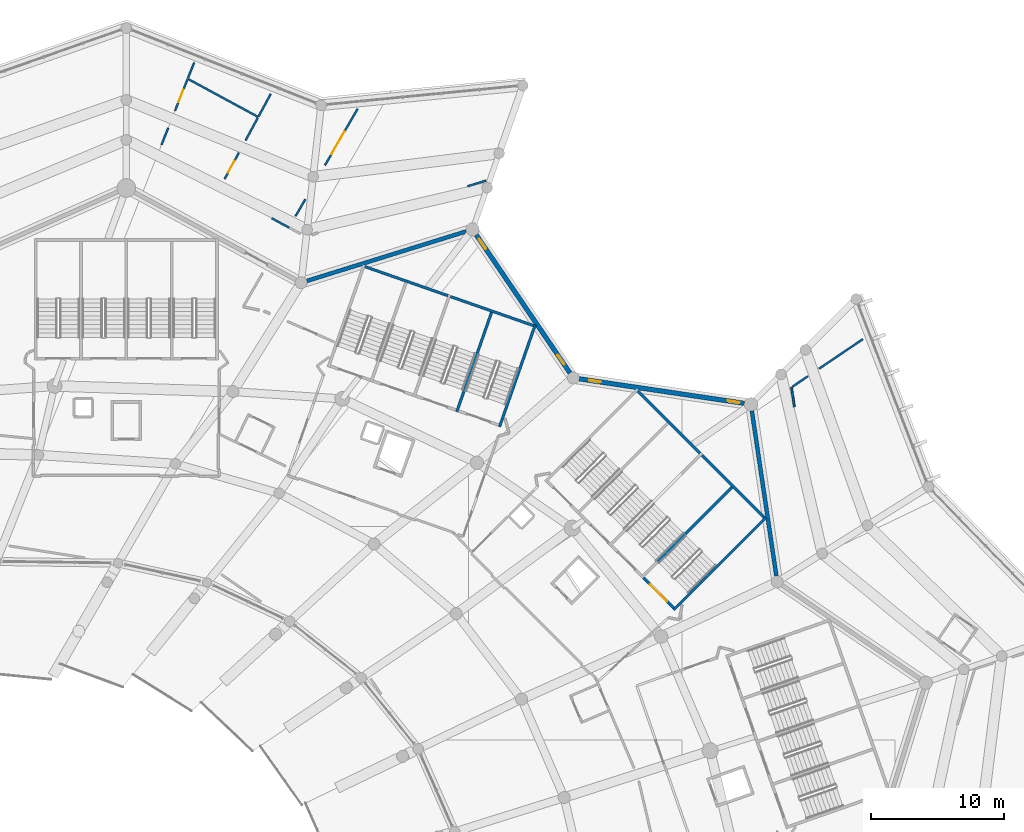
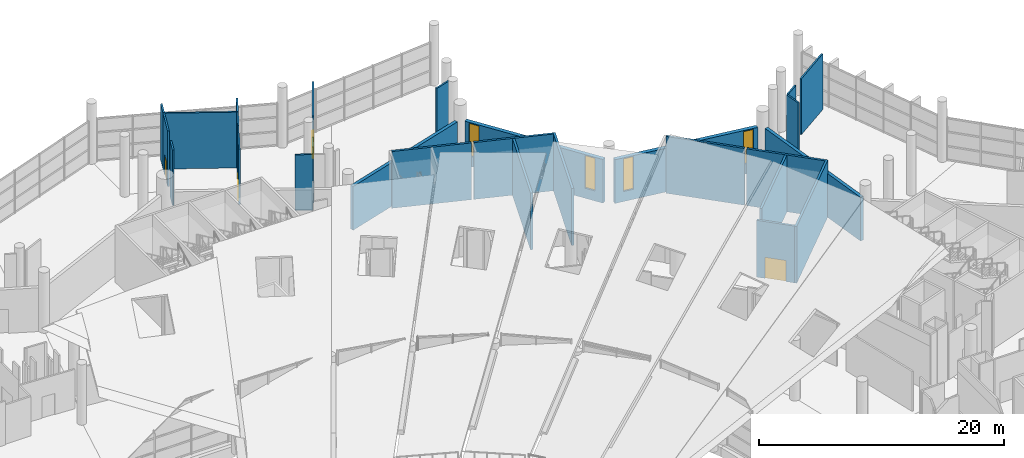
# One storey, part 177 of 249: 27 walls, 5 doors, 4 windows, 9 openings.
"""IFC4 building model written with IfcOpenShell, lengths in metres."""

from ifc_helpers import new_model, si_unit, direction, frame, frame_2d, origin, place, context, subcontext, project, spatial, rectangle, extrude, material, layer, layer_set, type_object, element, fill, save


model = new_model("IFC4")

# Units and contexts
model_context = context("Model", 3, precision=1e-05, world=origin(), true_north=direction((0.0, 1.0)))
body_context = subcontext(model_context, "Body", "Model", "MODEL_VIEW")
ifc_project = project(units=[si_unit("LENGTHUNIT", "METRE"), si_unit("AREAUNIT", "SQUARE_METRE"), si_unit("VOLUMEUNIT", "CUBIC_METRE"), si_unit("PLANEANGLEUNIT", "RADIAN"), si_unit("MASSUNIT", "GRAM", prefix="KILO")], contexts=[model_context])

# Site, building, storey
site_placement = place(None, origin())
site = spatial("IfcSite", under=ifc_project, at=site_placement, CompositionType="ELEMENT")
building_placement = place(site_placement, origin())
building = spatial("IfcBuilding", under=site, at=building_placement, Name="Meseta Stadium", CompositionType="ELEMENT")
storey_placement = place(building_placement, frame((0.0, 0.0, 12.0)))
storey = spatial("IfcBuildingStorey", under=building, at=storey_placement, Name="L02", CompositionType="ELEMENT", Elevation=12.0)

# Walls
ifc_material_1 = material(Name="Concrete C40/50", Category="concrete")
ifc_layer_1 = layer(ifc_material_1, 0.199951171875)
ifc_layer_set_1 = layer_set([ifc_layer_1], Name="Core divider wall 200")
wall_type_1 = type_object("IfcWallType", Name="Core divider wall 200", PredefinedType="SHEAR", material=ifc_layer_set_1)
wall_1_placement = place(storey_placement, frame((83.90087890625, 83.092529296875, 0.0), z_axis=(0.0, 0.0, 1.0), x_axis=(-0.707106781187, -0.707106781187, 0.0)))
element("IfcWall", 1, at=wall_1_placement, inside=storey, type_object=wall_type_1, Name="Core 07 L02 stair A divider wall", PredefinedType="SHEAR", context=body_context, shape_type="SweptSolid", body=[
    extrude(rectangle(XDim=8.099853515625, YDim=0.199951171875, at=frame_2d((4.0498046875, 0.0))), origin(), (0.0, 0.0, 1.0), 5.64990234375),
])
wall_2_placement = place(storey_placement, frame((65.789306640625, 96.260009765625, 0.0), z_axis=(0.0, 0.0, 1.0), x_axis=(-0.330280610426, -0.943882788474, 0.0)))
element("IfcWall", 2, at=wall_2_placement, inside=storey, type_object=wall_type_1, Name="Core 08 L02 stair A divider wall", PredefinedType="SHEAR", context=body_context, shape_type="SweptSolid", body=[
    extrude(rectangle(XDim=8.10009765625, YDim=0.199951171875, at=frame_2d((4.050048828125, 0.0))), origin(), (0.0, 0.0, 1.0), 5.64990234375),
])
ifc_material_2 = material(Name="Concrete C40/50", Category="concrete")
ifc_layer_2 = layer(ifc_material_2, 0.199951171875)
ifc_layer_set_2 = layer_set([ifc_layer_2], Name="Core shaft wall 200")
wall_type_2 = type_object("IfcWallType", Name="Core shaft wall 200", PredefinedType="SHEAR", material=ifc_layer_set_2)
wall_3_placement = place(storey_placement, frame((86.30517578125, 80.6884765625, 0.0), z_axis=(0.0, 0.0, 1.0), x_axis=(-0.707106781187, -0.707106781187, 0.0)))
element("IfcWall", 3, at=wall_3_placement, inside=storey, type_object=wall_type_2, Name="Core 07 L02 stair wall A-side", PredefinedType="SHEAR", context=body_context, shape_type="SweptSolid", body=[
    extrude(rectangle(XDim=9.800048828125, YDim=0.199951171875, at=frame_2d((4.89990234375, 0.0))), origin(), (0.0, 0.0, 1.0), 5.64990234375),
])
for number, where, z_axis, x_axis, name in (
    (4, (86.163818359375, 80.6884765625, 0.0), (0.0, 0.0, 1.0), (-0.707125276584, 0.707088285305, 0.0), "Core 07 L02 stair A outer end wall"),
    (5, (81.355224609375, 85.496826171875, 0.0), (0.0, 0.0, 1.0), (-0.707088285305, 0.707125276584, 0.0), "Core 07 L02 stair B outer end wall"),
):
    element("IfcWall", number, at=place(storey_placement, frame(where, z_axis=z_axis, x_axis=x_axis)), inside=storey, type_object=wall_type_2, Name=name, PredefinedType="SHEAR", context=body_context, shape_type="SweptSolid", body=[
        extrude(rectangle(XDim=6.599853515625, YDim=0.199951171875, at=frame_2d((3.2998046875, 0.0))), origin(), (0.0, 0.0, 1.0), 5.64990234375),
    ])

# Wall, opening, door
wall_4_placement = place(storey_placement, frame((79.37548828125, 73.900146484375, 0.0), z_axis=(0.0, 0.0, 1.0), x_axis=(-0.707068634461, 0.707144925854, 0.0)))
wall_4 = element("IfcWall", 6, at=wall_4_placement, inside=storey, type_object=wall_type_2, Name="Core 07 L02 stair A1 inner end wall", PredefinedType="SHEAR", context=body_context, shape_type="SweptSolid", body=[
    extrude(rectangle(XDim=3.2001953125, YDim=0.199951171875, at=frame_2d((1.60009765625, 0.0))), origin(), (0.0, 0.0, 1.0), 5.64990234375),
])
opening_1_placement = place(wall_4_placement, frame((0.699951171875, 0.0, 0.0)))
opening_1 = element("IfcOpeningElement", 7, at=opening_1_placement, cuts=wall_4, Name="Opening D1199", PredefinedType="OPENING", context=body_context, shape_type="SweptSolid", body=[
    extrude(rectangle(XDim=1.800048828125, YDim=2.10009765625, at=frame_2d((0.89990234375, 1.050048828125))), frame((0.0, 0.10986328125, 0.0), z_axis=(0.0, -1.0, 0.0), x_axis=(1.0, 0.0, 0.0)), (0.0, 0.0, 1.0), 0.219970703125),
])
ifc_material_3 = material(Name="Steel", Category="steel")
door_type_1 = type_object("IfcDoorType", Name="Stair door 1800x2100", OperationType="DOUBLE_DOOR_SINGLE_SWING", PredefinedType="DOOR", material=ifc_material_3)
door_1_placement = place(opening_1_placement, origin())
door_1 = element("IfcDoor", 8, at=door_1_placement, inside=storey, type_object=door_type_1, Name="Stair A1 door 07 L02", OperationType="DOUBLE_DOOR_SINGLE_SWING", OverallHeight=2.10009765625, OverallWidth=1.800048828125, PredefinedType="DOOR", context=body_context, shape_type="SweptSolid", body=[
    extrude(rectangle(XDim=1.800048828125, YDim=2.10009765625, at=frame_2d((0.89990234375, 1.050048828125))), frame((0.0, 0.02490234375, 0.0), z_axis=(0.0, -1.0, 0.0), x_axis=(1.0, 0.0, 0.0)), (0.0, 0.0, 1.0), 0.050048828125),
])
fill(opening_1, door_1)

# Walls
wall_5_placement = place(storey_placement, frame((68.998291015625, 95.136962890625, 0.0), z_axis=(0.0, 0.0, 1.0), x_axis=(-0.330263153216, -0.943888896866, 0.0)))
element("IfcWall", 9, at=wall_5_placement, inside=storey, type_object=wall_type_2, Name="Core 08 L02 stair wall A-side", PredefinedType="SHEAR", context=body_context, shape_type="SweptSolid", body=[
    extrude(rectangle(XDim=8.099853515625, YDim=0.199951171875, at=frame_2d((4.0498046875, 0.0))), origin(), (0.0, 0.0, 1.0), 5.64990234375),
])
for number, where, z_axis, x_axis, name in (
    (10, (68.87109375, 95.07568359375, 0.0), (0.0, 0.0, 1.0), (-0.943880844925, 0.330286164688, 0.0), "Core 08 L02 stair A outer end wall"),
    (11, (62.45263671875, 97.321533203125, 0.0), (0.0, 0.0, 1.0), (-0.943880844925, 0.330286164688, 0.0), "Core 08 L02 stair B outer end wall"),
):
    element("IfcWall", number, at=place(storey_placement, frame(where, z_axis=z_axis, x_axis=x_axis)), inside=storey, type_object=wall_type_2, Name=name, PredefinedType="SHEAR", context=body_context, shape_type="SweptSolid", body=[
        extrude(rectangle(XDim=6.60009765625, YDim=0.199951171875, at=frame_2d((3.300048828125, 0.0))), origin(), (0.0, 0.0, 1.0), 5.64990234375),
    ])
ifc_material_4 = material(Name="Masonry blockwork", Category="masonry")
ifc_layer_3 = layer(ifc_material_4, 0.14990234375)
ifc_layer_set_3 = layer_set([ifc_layer_3], Name="Partition 150")
wall_type_3 = type_object("IfcWallType", Name="Partition 150", PredefinedType="PARTITIONING", material=ifc_layer_set_3)
wall_6_placement = place(storey_placement, frame((88.4375, 88.9794921875, 0.0), z_axis=(0.0, 0.0, 1.0), x_axis=(-0.146804847774, 0.989165474868, 0.0)))
element("IfcWall", 12, at=wall_6_placement, inside=storey, type_object=wall_type_3, Name="Partition L02 L02-ring05-0", PredefinedType="PARTITIONING", context=body_context, shape_type="SweptSolid", body=[
    extrude(rectangle(XDim=1.485107421875, YDim=0.14990234375, at=frame_2d((0.74267578125, 0.0))), origin(), (0.0, 0.0, 1.0), 5.550048828125),
])
wall_7_placement = place(storey_placement, frame((88.288330078125, 90.4951171875, 0.0), z_axis=(0.0, 0.0, 1.0), x_axis=(0.828834599632, 0.559493705464, 0.0)))
element("IfcWall", 13, at=wall_7_placement, inside=storey, type_object=wall_type_3, Name="Partition L02 L02-ring05-0", PredefinedType="PARTITIONING", context=body_context, shape_type="SweptSolid", body=[
    extrude(rectangle(XDim=1.40771484375, YDim=0.14990234375, at=frame_2d((0.703857421875, 0.0))), origin(), (0.0, 0.0, 1.0), 5.550048828125),
])
wall_8_placement = place(storey_placement, frame((90.278564453125, 91.838623046875, 0.0), z_axis=(0.0, 0.0, 1.0), x_axis=(0.828823753048, 0.559509773269, 0.0)))
element("IfcWall", 14, at=wall_8_placement, inside=storey, type_object=wall_type_3, Name="Partition L02 L02-ring05-0", PredefinedType="PARTITIONING", context=body_context, shape_type="SweptSolid", body=[
    extrude(rectangle(XDim=3.97509765625, YDim=0.14990234375, at=frame_2d((1.987548828125, 0.0))), origin(), (0.0, 0.0, 1.0), 5.550048828125),
])
wall_9_placement = place(storey_placement, frame((40.96630859375, 108.63525390625, 0.0), z_axis=(0.0, 0.0, 1.0), x_axis=(0.368847985319, 0.929489732986, 0.0)))
element("IfcWall", 15, at=wall_9_placement, inside=storey, type_object=wall_type_3, Name="Partition L02 L02-ring07-0a", PredefinedType="PARTITIONING", context=body_context, shape_type="SweptSolid", body=[
    extrude(rectangle(XDim=1.358154296875, YDim=0.14990234375, at=frame_2d((0.67919921875, 0.0))), origin(), (0.0, 0.0, 1.0), 5.550048828125),
])

# Wall, opening, door
wall_10_placement = place(storey_placement, frame((46.77099609375, 108.04541015625, 0.0), z_axis=(0.0, 0.0, 1.0), x_axis=(-0.476598025564, -0.879121335214, 0.0)))
wall_10 = element("IfcWall", 16, at=wall_10_placement, inside=storey, type_object=wall_type_3, Name="Partition L02 L02-ring07-0a", PredefinedType="PARTITIONING", context=body_context, shape_type="SweptSolid", body=[
    extrude(rectangle(XDim=2.247802734375, YDim=0.14990234375, at=frame_2d((1.1240234375, 0.0))), origin(), (0.0, 0.0, 1.0), 5.550048828125),
])
opening_2_placement = place(wall_10_placement, frame((0.699951171875, 0.0, 0.0)))
opening_2 = element("IfcOpeningElement", 17, at=opening_2_placement, cuts=wall_10, Name="Opening D1152", PredefinedType="OPENING", context=body_context, shape_type="SweptSolid", body=[
    extrude(rectangle(XDim=1.0, YDim=2.10009765625, at=frame_2d((0.5, 1.050048828125))), frame((0.0, 0.0849609375, 0.0), z_axis=(0.0, -1.0, 0.0), x_axis=(1.0, 0.0, 0.0)), (0.0, 0.0, 1.0), 0.169921875),
])
ifc_material_5 = material(Name="Timber", Category="wood")
door_type_2 = type_object("IfcDoorType", Name="Room door 1000x2100", OperationType="NOTDEFINED", PredefinedType="DOOR", material=ifc_material_5)
door_2_placement = place(opening_2_placement, origin())
door_2 = element("IfcDoor", 18, at=door_2_placement, inside=storey, type_object=door_type_2, Name="Room door L02 L02-ring07-0a", OperationType="SINGLE_SWING_RIGHT", OverallHeight=2.10009765625, OverallWidth=1.0, PredefinedType="DOOR", context=body_context, shape_type="SweptSolid", body=[
    extrude(rectangle(XDim=1.0, YDim=2.10009765625, at=frame_2d((0.5, 1.050048828125))), frame((0.0, 0.02490234375, 0.0), z_axis=(0.0, -1.0, 0.0), x_axis=(1.0, 0.0, 0.0)), (0.0, 0.0, 1.0), 0.050048828125),
])
fill(opening_2, door_2)

wall_11_placement = place(storey_placement, frame((41.978759765625, 111.1865234375, 0.0), z_axis=(0.0, 0.0, 1.0), x_axis=(0.368867519217, 0.929481981142, 0.0)))
wall_11 = element("IfcWall", 19, at=wall_11_placement, inside=storey, type_object=wall_type_3, Name="Partition L02 L02-ring07-0b1", PredefinedType="PARTITIONING", context=body_context, shape_type="SweptSolid", body=[
    extrude(rectangle(XDim=2.587158203125, YDim=0.14990234375, at=frame_2d((1.29345703125, 0.0))), origin(), (0.0, 0.0, 1.0), 5.550048828125),
])
opening_3_placement = place(wall_11_placement, frame((0.699951171875, 0.0, 0.0)))
opening_3 = element("IfcOpeningElement", 20, at=opening_3_placement, cuts=wall_11, Name="Opening D1147", PredefinedType="OPENING", context=body_context, shape_type="SweptSolid", body=[
    extrude(rectangle(XDim=1.0, YDim=2.10009765625, at=frame_2d((0.5, 1.050048828125))), frame((0.0, 0.0849609375, 0.0), z_axis=(0.0, -1.0, 0.0), x_axis=(1.0, 0.0, 0.0)), (0.0, 0.0, 1.0), 0.169921875),
])
door_3_placement = place(opening_3_placement, origin())
door_3 = element("IfcDoor", 21, at=door_3_placement, inside=storey, type_object=door_type_2, Name="Room door L02 L02-ring07-0b1", OperationType="SINGLE_SWING_LEFT", OverallHeight=2.10009765625, OverallWidth=1.0, PredefinedType="DOOR", context=body_context, shape_type="SweptSolid", body=[
    extrude(rectangle(XDim=1.0, YDim=2.10009765625, at=frame_2d((0.5, 1.050048828125))), frame((0.0, 0.02490234375, 0.0), z_axis=(0.0, -1.0, 0.0), x_axis=(1.0, 0.0, 0.0)), (0.0, 0.0, 1.0), 0.050048828125),
])
fill(opening_3, door_3)

# Walls
wall_12_placement = place(storey_placement, frame((42.99951171875, 113.55517578125, 0.0), z_axis=(0.0, 0.0, 1.0), x_axis=(0.879153541932, -0.47653861303, 0.0)))
element("IfcWall", 22, at=wall_12_placement, inside=storey, type_object=wall_type_3, Name="Partition L02 L02-ring07-0b1", PredefinedType="PARTITIONING", context=body_context, shape_type="SweptSolid", body=[
    extrude(rectangle(XDim=5.94140625, YDim=0.14990234375, at=frame_2d((2.970703125, 0.0))), origin(), (0.0, 0.0, 1.0), 5.550048828125),
])
wall_13_placement = place(storey_placement, frame((48.18701171875, 110.65771484375, 0.0), z_axis=(0.0, 0.0, 1.0), x_axis=(-0.4765817533, -0.879130156701, 0.0)))
element("IfcWall", 23, at=wall_13_placement, inside=storey, type_object=wall_type_3, Name="Partition L02 L02-ring07-0b1", PredefinedType="PARTITIONING", context=body_context, shape_type="SweptSolid", body=[
    extrude(rectangle(XDim=1.922607421875, YDim=0.14990234375, at=frame_2d((0.96142578125, 0.0))), origin(), (0.0, 0.0, 1.0), 5.550048828125),
])

# Wall, openings, doors
wall_14_placement = place(storey_placement, frame((55.680419921875, 111.345458984375, 0.0), z_axis=(0.0, 0.0, 1.0), x_axis=(-0.50042773111, -0.865778312235, 0.0)))
wall_14 = element("IfcWall", 24, at=wall_14_placement, inside=storey, type_object=wall_type_3, Name="Partition L02 L02-ring07-0b2", PredefinedType="PARTITIONING", context=body_context, shape_type="SweptSolid", body=[
    extrude(rectangle(XDim=4.903564453125, YDim=0.14990234375, at=frame_2d((2.45166015625, 0.0))), origin(), (0.0, 0.0, 1.0), 5.550048828125),
])
opening_4_placement = place(wall_14_placement, frame((1.949951171875, 0.0, 0.0)))
opening_4 = element("IfcOpeningElement", 25, at=opening_4_placement, cuts=wall_14, Name="Opening D1162", PredefinedType="OPENING", context=body_context, shape_type="SweptSolid", body=[
    extrude(rectangle(XDim=1.0, YDim=2.10009765625, at=frame_2d((0.5, 1.050048828125))), frame((0.0, 0.0849609375, 0.0), z_axis=(0.0, -1.0, 0.0), x_axis=(1.0, 0.0, 0.0)), (0.0, 0.0, 1.0), 0.169921875),
])
opening_5_placement = place(wall_14_placement, frame((2.949951171875, 0.0, 0.0)))
opening_5 = element("IfcOpeningElement", 26, at=opening_5_placement, cuts=wall_14, Name="Opening D1160", PredefinedType="OPENING", context=body_context, shape_type="SweptSolid", body=[
    extrude(rectangle(XDim=1.0, YDim=2.10009765625, at=frame_2d((0.5, 1.050048828125))), frame((0.0, 0.0849609375, 0.0), z_axis=(0.0, -1.0, 0.0), x_axis=(1.0, 0.0, 0.0)), (0.0, 0.0, 1.0), 0.169921875),
])
door_4_placement = place(opening_4_placement, origin())
door_4 = element("IfcDoor", 27, at=door_4_placement, inside=storey, type_object=door_type_2, Name="Room door L02 L02-ring07-0b2", OperationType="SINGLE_SWING_LEFT", OverallHeight=2.10009765625, OverallWidth=1.0, PredefinedType="DOOR", context=body_context, shape_type="SweptSolid", body=[
    extrude(rectangle(XDim=1.0, YDim=2.10009765625, at=frame_2d((0.5, 1.050048828125))), frame((0.0, 0.02490234375, 0.0), z_axis=(0.0, -1.0, 0.0), x_axis=(1.0, 0.0, 0.0)), (0.0, 0.0, 1.0), 0.050048828125),
])
fill(opening_4, door_4)
door_5_placement = place(opening_5_placement, origin())
door_5 = element("IfcDoor", 28, at=door_5_placement, inside=storey, type_object=door_type_2, Name="Room door L02 L02-ring07-0w", OperationType="SINGLE_SWING_RIGHT", OverallHeight=2.10009765625, OverallWidth=1.0, PredefinedType="DOOR", context=body_context, shape_type="SweptSolid", body=[
    extrude(rectangle(XDim=1.0, YDim=2.10009765625, at=frame_2d((0.5, 1.050048828125))), frame((0.0, 0.02490234375, 0.0), z_axis=(0.0, -1.0, 0.0), x_axis=(1.0, 0.0, 0.0)), (0.0, 0.0, 1.0), 0.050048828125),
])
fill(opening_5, door_5)

# Walls
wall_15_placement = place(storey_placement, frame((51.754150390625, 104.552734375, 0.0), z_axis=(0.0, 0.0, 1.0), x_axis=(-0.50049323233, -0.865740448629, 0.0)))
element("IfcWall", 29, at=wall_15_placement, inside=storey, type_object=wall_type_3, Name="Partition L02 L02-ring07-0b2", PredefinedType="PARTITIONING", context=body_context, shape_type="SweptSolid", body=[
    extrude(rectangle(XDim=1.47119140625, YDim=0.14990234375, at=frame_2d((0.735595703125, 0.0))), origin(), (0.0, 0.0, 1.0), 5.550048828125),
])
wall_16_placement = place(storey_placement, frame((50.527099609375, 102.429931640625, 0.0), z_axis=(0.0, 0.0, 1.0), x_axis=(-0.879145329358, 0.476553763881, 0.0)))
element("IfcWall", 30, at=wall_16_placement, inside=storey, type_object=wall_type_3, Name="Partition L02 L02-ring07-0b2", PredefinedType="PARTITIONING", context=body_context, shape_type="SweptSolid", body=[
    extrude(rectangle(XDim=1.482177734375, YDim=0.14990234375, at=frame_2d((0.7412109375, 0.0))), origin(), (0.0, 0.0, 1.0), 5.550048828125),
])
wall_17_placement = place(storey_placement, frame((48.24658203125, 110.767578125, 0.0), z_axis=(0.0, 0.0, 1.0), x_axis=(0.476578132512, 0.879132119542, 0.0)))
element("IfcWall", 31, at=wall_17_placement, inside=storey, type_object=wall_type_3, Name="Partition L02 L02-ring07-0b2", PredefinedType="PARTITIONING", context=body_context, shape_type="SweptSolid", body=[
    extrude(rectangle(XDim=1.91943359375, YDim=0.14990234375, at=frame_2d((0.959716796875, 0.0))), origin(), (0.0, 0.0, 1.0), 5.550048828125),
])
wall_18_placement = place(storey_placement, frame((65.31591796875, 105.958984375, 0.0), z_axis=(0.0, 0.0, 1.0), x_axis=(-0.954867270895, -0.297032818008, 0.0)))
element("IfcWall", 32, at=wall_18_placement, inside=storey, type_object=wall_type_3, Name="Partition L02 L02-ring07-0w", PredefinedType="PARTITIONING", context=body_context, shape_type="SweptSolid", body=[
    extrude(rectangle(XDim=1.46630859375, YDim=0.14990234375, at=frame_2d((0.733154296875, 0.0))), origin(), (0.0, 0.0, 1.0), 5.550048828125),
])
wall_19_placement = place(storey_placement, frame((43.412109375, 114.798583984375, 0.0), z_axis=(0.0, 0.0, 1.0), x_axis=(-0.368861604187, -0.929484328516, 0.0)))
element("IfcWall", 33, at=wall_19_placement, inside=storey, type_object=wall_type_3, Name="Partition L02 L02-ring08-0", PredefinedType="PARTITIONING", context=body_context, shape_type="SweptSolid", body=[
    extrude(rectangle(XDim=1.2490234375, YDim=0.14990234375, at=frame_2d((0.62451171875, 0.0))), origin(), (0.0, 0.0, 1.0), 5.550048828125),
])
ifc_material_6 = material(Name="White precast concrete C40/50", Category="concrete")
ifc_layer_4 = layer(ifc_material_6, 0.300048828125)
ifc_layer_set_4 = layer_set([ifc_layer_4], Name="Pleated panel wall 300 concourse")
wall_type_4 = type_object("IfcWallType", Name="Pleated panel wall 300 concourse", PredefinedType="SOLIDWALL", material=ifc_layer_set_4)
wall_20_placement = place(storey_placement, frame((85.2470703125, 88.6796875, 0.0), z_axis=(0.0, 0.0, 1.0), x_axis=(0.14684632149, -0.989159318747, 0.0)))
element("IfcWall", 34, at=wall_20_placement, inside=storey, type_object=wall_type_4, Name="Pleated facade panel L02 F11", PredefinedType="SOLIDWALL", context=body_context, shape_type="SweptSolid", body=[
    extrude(rectangle(XDim=12.51416015625, YDim=0.300048828125, at=frame_2d((6.257080078125, 0.0))), origin(), (0.0, 0.0, 1.0), 4.35009765625),
])
wall_21_placement = place(storey_placement, frame((51.87109375, 98.427978515625, 0.0), z_axis=(0.0, 0.0, 1.0), x_axis=(0.954916036354, 0.29687600697, 0.0)))
element("IfcWall", 35, at=wall_21_placement, inside=storey, type_object=wall_type_4, Name="Pleated facade panel L02 F14", PredefinedType="SOLIDWALL", context=body_context, shape_type="SweptSolid", body=[
    extrude(rectangle(XDim=12.51318359375, YDim=0.300048828125, at=frame_2d((6.256591796875, 0.0))), origin(), (0.0, 0.0, 1.0), 4.35009765625),
])

# Wall, openings, windows
ifc_material_7 = material(Name="White precast concrete C40/50", Category="concrete")
ifc_layer_5 = layer(ifc_material_7, 0.35009765625)
ifc_layer_set_5 = layer_set([ifc_layer_5], Name="Pleated panel wall 350 gate")
wall_type_5 = type_object("IfcWallType", Name="Pleated panel wall 350 gate", PredefinedType="SOLIDWALL", material=ifc_layer_set_5)
wall_22_placement = place(storey_placement, frame((72.30126953125, 91.084716796875, 0.0), z_axis=(0.0, 0.0, 1.0), x_axis=(0.989159318747, -0.14684632149, 0.0)))
wall_22 = element("IfcWall", 36, at=wall_22_placement, inside=storey, type_object=wall_type_5, Name="Pleated facade panel L02 F12", PredefinedType="SOLIDWALL", context=body_context, shape_type="SweptSolid", body=[
    extrude(rectangle(XDim=12.51416015625, YDim=0.35009765625, at=frame_2d((6.257080078125, 0.0))), origin(), (0.0, 0.0, 1.0), 4.35009765625),
])
opening_6_placement = place(wall_22_placement, frame((0.75048828125, 0.0, 1.0)))
opening_6 = element("IfcOpeningElement", 37, at=opening_6_placement, cuts=wall_22, Name="Opening W033", PredefinedType="OPENING", context=body_context, shape_type="SweptSolid", body=[
    extrude(rectangle(XDim=0.89990234375, YDim=3.25, at=frame_2d((0.449951171875, 1.625))), frame((0.0, 0.18505859375, 0.0), z_axis=(0.0, -1.0, 0.0), x_axis=(1.0, 0.0, 0.0)), (0.0, 0.0, 1.0), 0.3701171875),
])
opening_7_placement = place(wall_22_placement, frame((11.25048828125, 0.0, 1.0)))
opening_7 = element("IfcOpeningElement", 38, at=opening_7_placement, cuts=wall_22, Name="Opening W037", PredefinedType="OPENING", context=body_context, shape_type="SweptSolid", body=[
    extrude(rectangle(XDim=0.89990234375, YDim=3.25, at=frame_2d((0.449951171875, 1.625))), frame((0.0, 0.18505859375, 0.0), z_axis=(0.0, -1.0, 0.0), x_axis=(1.0, 0.0, 0.0)), (0.0, 0.0, 1.0), 0.3701171875),
])
ifc_material_8 = material(Name="Aluminium", Category="aluminium")
window_type = type_object("IfcWindowType", Name="Slot window 900x3250", PartitioningType="SINGLE_PANEL", PredefinedType="WINDOW", material=ifc_material_8)
window_1_placement = place(opening_6_placement, origin())
window_1 = element("IfcWindow", 39, at=window_1_placement, inside=storey, type_object=window_type, Name="Slot window L02 F12.1", OverallHeight=3.25, OverallWidth=0.89990234375, PartitioningType="SINGLE_PANEL", PredefinedType="WINDOW", context=body_context, shape_type="SweptSolid", body=[
    extrude(rectangle(XDim=0.89990234375, YDim=3.25, at=frame_2d((0.449951171875, 1.625))), frame((0.0, 0.030029296875, 0.0), z_axis=(0.0, -1.0, 0.0), x_axis=(1.0, 0.0, 0.0)), (0.0, 0.0, 1.0), 0.06005859375),
])
fill(opening_6, window_1)
window_2_placement = place(opening_7_placement, origin())
window_2 = element("IfcWindow", 40, at=window_2_placement, inside=storey, type_object=window_type, Name="Slot window L02 F12.6", OverallHeight=3.25, OverallWidth=0.89990234375, PartitioningType="SINGLE_PANEL", PredefinedType="WINDOW", context=body_context, shape_type="SweptSolid", body=[
    extrude(rectangle(XDim=0.89990234375, YDim=3.25, at=frame_2d((0.449951171875, 1.625))), frame((0.0, 0.030029296875, 0.0), z_axis=(0.0, -1.0, 0.0), x_axis=(1.0, 0.0, 0.0)), (0.0, 0.0, 1.0), 0.06005859375),
])
fill(opening_7, window_2)

wall_23_placement = place(storey_placement, frame((64.578125, 101.87744140625, 0.0), z_axis=(0.0, 0.0, 1.0), x_axis=(0.561493784496, -0.827480954447, 0.0)))
wall_23 = element("IfcWall", 41, at=wall_23_placement, inside=storey, type_object=wall_type_5, Name="Pleated facade panel L02 F13", PredefinedType="SOLIDWALL", context=body_context, shape_type="SweptSolid", body=[
    extrude(rectangle(XDim=12.51318359375, YDim=0.35009765625, at=frame_2d((6.256591796875, 0.0))), origin(), (0.0, 0.0, 1.0), 4.35009765625),
])
opening_8_placement = place(wall_23_placement, frame((10.863037109375, 0.0, 1.0)))
opening_8 = element("IfcOpeningElement", 42, at=opening_8_placement, cuts=wall_23, Name="Opening W032", PredefinedType="OPENING", context=body_context, shape_type="SweptSolid", body=[
    extrude(rectangle(XDim=0.89990234375, YDim=3.25, at=frame_2d((0.449951171875, 1.625))), frame((0.0, 0.18505859375, 0.0), z_axis=(0.0, -1.0, 0.0), x_axis=(1.0, 0.0, 0.0)), (0.0, 0.0, 1.0), 0.3701171875),
])
opening_9_placement = place(wall_23_placement, frame((0.363037109375, 0.0, 1.0)))
opening_9 = element("IfcOpeningElement", 43, at=opening_9_placement, cuts=wall_23, Name="Opening W031", PredefinedType="OPENING", context=body_context, shape_type="SweptSolid", body=[
    extrude(rectangle(XDim=0.89990234375, YDim=3.25, at=frame_2d((0.449951171875, 1.625))), frame((0.0, 0.18505859375, 0.0), z_axis=(0.0, -1.0, 0.0), x_axis=(1.0, 0.0, 0.0)), (0.0, 0.0, 1.0), 0.3701171875),
])
window_3_placement = place(opening_8_placement, origin())
window_3 = element("IfcWindow", 44, at=window_3_placement, inside=storey, type_object=window_type, Name="Slot window L02 F13.1", OverallHeight=3.25, OverallWidth=0.89990234375, PartitioningType="SINGLE_PANEL", PredefinedType="WINDOW", context=body_context, shape_type="SweptSolid", body=[
    extrude(rectangle(XDim=0.89990234375, YDim=3.25, at=frame_2d((0.449951171875, 1.625))), frame((0.0, 0.030029296875, 0.0), z_axis=(0.0, -1.0, 0.0), x_axis=(1.0, 0.0, 0.0)), (0.0, 0.0, 1.0), 0.06005859375),
])
fill(opening_8, window_3)
window_4_placement = place(opening_9_placement, origin())
window_4 = element("IfcWindow", 45, at=window_4_placement, inside=storey, type_object=window_type, Name="Slot window L02 F13.6", OverallHeight=3.25, OverallWidth=0.89990234375, PartitioningType="SINGLE_PANEL", PredefinedType="WINDOW", context=body_context, shape_type="SweptSolid", body=[
    extrude(rectangle(XDim=0.89990234375, YDim=3.25, at=frame_2d((0.449951171875, 1.625))), frame((0.0, 0.030029296875, 0.0), z_axis=(0.0, -1.0, 0.0), x_axis=(1.0, 0.0, 0.0)), (0.0, 0.0, 1.0), 0.06005859375),
])
fill(opening_9, window_4)

save(model, "model.ifc")
